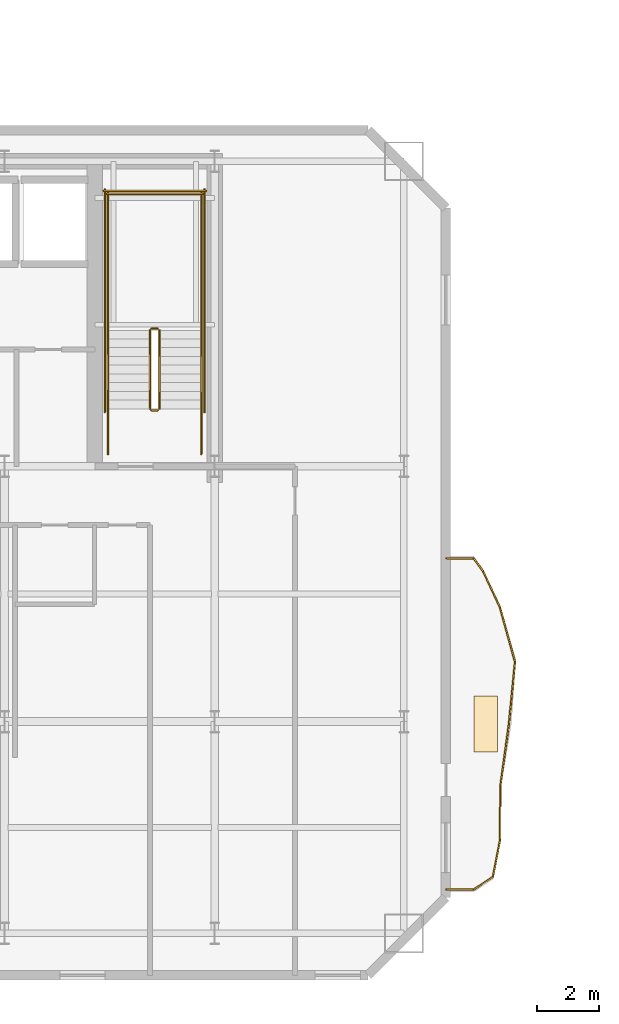
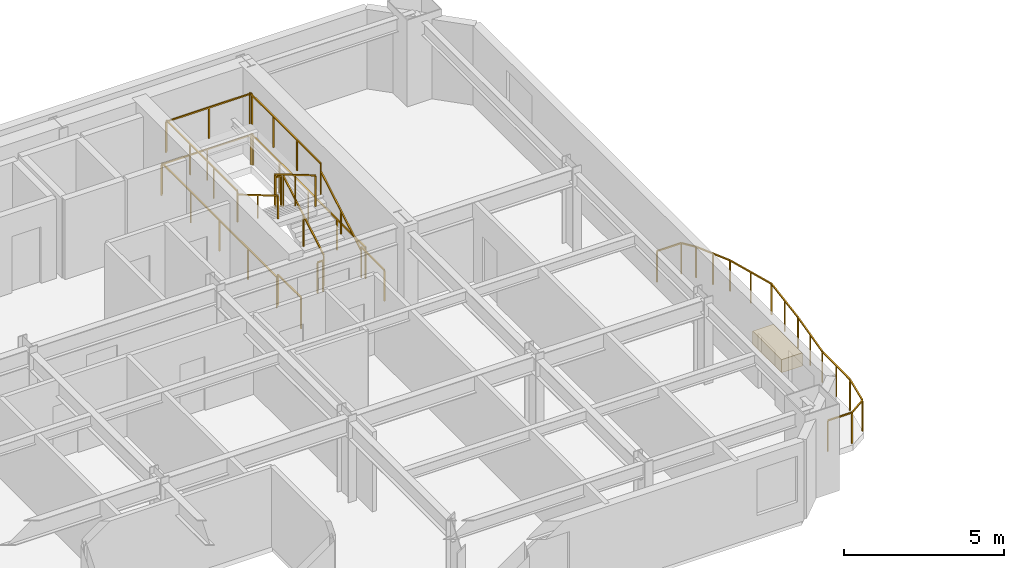
# One storey, part 11 of 13: 24 railings, 1 covering.
"""IFC4 building model written with IfcOpenShell, lengths in metres."""

import ifcopenshell
import ifcopenshell.guid

model = None  # the IFC model being written
_history = None  # IfcOwnerHistory: only IFC2X3 demands one
_inside = {}  # id of a spatial element -> (the spatial element, [elements in it])
_under = {}  # id of a project, library or spatial element -> (it, [spatial elements below it])
_declared = {}  # id of a project -> (the project, [libraries it declares])
_typed = {}  # id of a type object -> (the type object, [elements of that type])
_made_of = {}  # id of a material, layer set ... -> (it, [elements and type objects made of it])


def new_model(schema):
    """Start an empty IFC model of exactly this schema.

    Asked for "IFC4X3", IfcOpenShell would pick the latest addendum, in which some entities
    have other attributes; the version numbers below select the first issue.
    IFC2X3 requires an IfcOwnerHistory on every rooted entity: one is made here for all.
    """
    global model, _history
    if schema == "IFC4X3":
        model = ifcopenshell.file(schema_version=(4, 3, 0, 0))
    else:
        model = ifcopenshell.file(schema=schema)
    _inside.clear()
    _under.clear()
    _declared.clear()
    _typed.clear()
    _made_of.clear()
    _history = None
    if model.schema == "IFC2X3":
        org = make("IfcOrganization", Name="unknown")
        user = make(
            "IfcPersonAndOrganization",
            ThePerson=make("IfcPerson", FamilyName="unknown"),
            TheOrganization=org,
        )
        app = make(
            "IfcApplication",
            ApplicationDeveloper=org,
            Version="unknown",
            ApplicationFullName="unknown",
            ApplicationIdentifier="unknown",
        )
        _history = make(
            "IfcOwnerHistory",
            OwningUser=user,
            OwningApplication=app,
            ChangeAction="ADDED",
            CreationDate=0,
        )
    return model


def make(cls, **values):
    """One entity of the class cls with the attributes given. An attribute that is None is left unset."""
    return model.create_entity(
        cls, **{name: value for name, value in values.items() if value is not None}
    )


def rooted(cls, **values):
    """An entity with a GlobalId (a new one), such as an element, a storey or a relation."""
    return make(cls, GlobalId=ifcopenshell.guid.new(), OwnerHistory=_history, **values)


def si_unit(unit_type, name, prefix=None):
    """IfcSIUnit, for example si_unit("LENGTHUNIT", "METRE", prefix="MILLI")."""
    return make("IfcSIUnit", UnitType=unit_type, Prefix=prefix, Name=name)


def assignment(units):
    """IfcUnitAssignment: the units of a project."""
    return None if units is None else make("IfcUnitAssignment", Units=units)


def point(xyz):
    """IfcCartesianPoint."""
    return None if xyz is None else make("IfcCartesianPoint", Coordinates=xyz)


def direction(xyz):
    """IfcDirection."""
    return None if xyz is None else make("IfcDirection", DirectionRatios=xyz)


def frame(location, z_axis=None, x_axis=None):
    """IfcAxis2Placement3D, a coordinate frame: its origin and axes. An axis left out is left unset."""
    return make(
        "IfcAxis2Placement3D",
        Location=point(location),
        Axis=direction(z_axis),
        RefDirection=direction(x_axis),
    )


def frame_2d(location, x_axis=None):
    """IfcAxis2Placement2D, a coordinate frame in the plane: its origin and x axis."""
    return make(
        "IfcAxis2Placement2D", Location=point(location), RefDirection=direction(x_axis)
    )


def origin():
    """The frame at (0, 0, 0) with its axes left unset."""
    return frame((0.0, 0.0, 0.0))


def origin_2d():
    """The frame at (0, 0) in the plane with its x axis left unset."""
    return frame_2d((0.0, 0.0))


def place(relative_to, where):
    """IfcLocalPlacement: puts the frame where relative to a parent placement (None: the world)."""
    return make(
        "IfcLocalPlacement", PlacementRelTo=relative_to, RelativePlacement=where
    )


def context(
    kind, dimensions, precision=None, world=None, true_north=None, identifier=None
):
    """IfcGeometricRepresentationContext, for example the 3D "Model" context."""
    return make(
        "IfcGeometricRepresentationContext",
        ContextIdentifier=identifier,
        ContextType=kind,
        CoordinateSpaceDimension=dimensions,
        Precision=precision,
        WorldCoordinateSystem=world,
        TrueNorth=true_north,
    )


def subcontext(parent, identifier, kind, view, scale=None):
    """IfcGeometricRepresentationSubContext, for example "Body" below "Model"."""
    return make(
        "IfcGeometricRepresentationSubContext",
        ContextIdentifier=identifier,
        ContextType=kind,
        ParentContext=parent,
        TargetScale=scale,
        TargetView=view,
    )


def project(units=None, contexts=None):
    """IfcProject with its units and contexts."""
    return rooted(
        "IfcProject",
        Name="project",
        RepresentationContexts=contexts,
        UnitsInContext=assignment(units),
    )


def spatial(cls, under=None, at=None, **own):
    """A site, building, storey or space (cls), placed at a placement, below another one or the project."""
    s = rooted(cls, ObjectPlacement=at, **own)
    if under is not None:
        _under.setdefault(under.id(), (under, []))[1].append(s)
    return s


def profile(cls, at=None, kind="AREA", **sizes):
    """A parametric profile (cls). Its sizes go by their IFC names, for example OverallWidth=200.0."""
    return make(cls, ProfileType=kind, Position=at, **sizes)


def rectangle(**sizes):
    """IfcRectangleProfileDef."""
    return profile("IfcRectangleProfileDef", **sizes)


def extrude(swept, where, along, depth):
    """IfcExtrudedAreaSolid: the profile swept, set in the frame where, extruded along a direction by depth."""
    return make(
        "IfcExtrudedAreaSolid",
        SweptArea=swept,
        Position=where,
        ExtrudedDirection=direction(along),
        Depth=depth,
    )


def shape(context_of_items, identifier, shape_type, items):
    """IfcShapeRepresentation: the items that make up one representation, for example the "Body"."""
    return make(
        "IfcShapeRepresentation",
        ContextOfItems=context_of_items,
        RepresentationIdentifier=identifier,
        RepresentationType=shape_type,
        Items=items,
    )


def material(Name=None, Category=None):
    """IfcMaterial."""
    return make("IfcMaterial", Name=Name, Category=Category)


def layer(
    of_material, thickness, ventilated=None, Name=None, Category=None, Priority=None
):
    """IfcMaterialLayer: one layer of a wall or slab, of a material (None: an air gap)."""
    return make(
        "IfcMaterialLayer",
        Material=of_material,
        LayerThickness=thickness,
        IsVentilated=ventilated,
        Name=Name,
        Category=Category,
        Priority=Priority,
    )


def layer_set(layers, Name=None):
    """IfcMaterialLayerSet."""
    return make("IfcMaterialLayerSet", MaterialLayers=layers, LayerSetName=Name)


def made_of(thing, what):
    """Note that an element or type object is made of a material, layer set ...; save() writes the relation."""
    if what is not None:
        _made_of.setdefault(what.id(), (what, []))[1].append(thing)
    return thing


def type_object(cls, material=None, **own):
    """A type object (cls), such as IfcWallType, which elements share."""
    return made_of(rooted(cls, **own), material)


def element(
    cls,
    number,
    at=None,
    inside=None,
    cuts=None,
    type_object=None,
    material=None,
    context=None,
    identifier="Body",
    shape_type=None,
    held_by="IfcProductDefinitionShape",
    body=None,
    shapes=None,
    **own,
):
    """One element of the class cls, such as IfcWall. Its Tag is "e" and its number.

    at: its placement. inside: the storey or other place that contains it. cuts: it is an
    opening in that element (IfcRelVoidsElement). A single representation is given by context,
    identifier, shape_type and body (its items); several are given by shapes. held_by: the class
    of the entity that holds the representations. save() writes the other relations.
    """
    e = rooted(cls, Tag="e%d" % number, ObjectPlacement=at, **own)
    if body is not None:
        shapes = [shape(context, identifier, shape_type, body)]
    if shapes is not None:
        e.Representation = make(held_by, Representations=shapes)
    if inside is not None:
        _inside.setdefault(inside.id(), (inside, []))[1].append(e)
    if cuts is not None:
        rooted(
            "IfcRelVoidsElement", RelatingBuildingElement=cuts, RelatedOpeningElement=e
        )
    if type_object is not None:
        _typed.setdefault(type_object.id(), (type_object, []))[1].append(e)
    return made_of(e, material)


def aggregate(whole, parts):
    """IfcRelAggregates: a whole, such as a stair, and the parts it consists of."""
    return rooted("IfcRelAggregates", RelatingObject=whole, RelatedObjects=parts)


def save(model, path):
    """Write the relations noted so far, then the file.

    IfcRelAggregates (storeys below a building ...), IfcRelContainedInSpatialStructure (elements
    in a storey), IfcRelDefinesByType, IfcRelAssociatesMaterial and IfcRelDeclares: one each for
    every whole, place, type object, material and project.
    """
    for whole, parts in _under.values():
        aggregate(whole, parts)
    for where, things in _inside.values():
        rooted(
            "IfcRelContainedInSpatialStructure",
            RelatedElements=things,
            RelatingStructure=where,
        )
    for kind, things in _typed.values():
        rooted("IfcRelDefinesByType", RelatedObjects=things, RelatingType=kind)
    for what, things in _made_of.values():
        rooted("IfcRelAssociatesMaterial", RelatedObjects=things, RelatingMaterial=what)
    for by, libraries in _declared.values():
        rooted("IfcRelDeclares", RelatingContext=by, RelatedDefinitions=libraries)
    model.write(path)


model = new_model("IFC4")

# Units and contexts
model_context = context("Model", 3, precision=1e-05, world=origin(), true_north=direction((0.0, 1.0)))
body_context = subcontext(model_context, "Body", "Model", "MODEL_VIEW")
ifc_project = project(units=[si_unit("LENGTHUNIT", "METRE"), si_unit("AREAUNIT", "SQUARE_METRE"), si_unit("VOLUMEUNIT", "CUBIC_METRE"), si_unit("PLANEANGLEUNIT", "RADIAN"), si_unit("MASSUNIT", "GRAM", prefix="KILO")], contexts=[model_context])

# Site, building, storey
site_placement = place(None, origin())
site = spatial("IfcSite", under=ifc_project, at=site_placement, CompositionType="ELEMENT")
building_placement = place(site_placement, origin())
building = spatial("IfcBuilding", under=site, at=building_placement, Name="Haevon Station Towers", CompositionType="ELEMENT")
storey_placement = place(building_placement, frame((0.0, 0.0, 162.60009765625)))
storey = spatial("IfcBuildingStorey", under=building, at=storey_placement, Name="L44", CompositionType="ELEMENT", Elevation=162.60009765625)

# Railings
ifc_material_1 = material(Name="Steel S355", Category="steel")
railing_type_1 = type_object("IfcRailingType", Name="GRD-EXT1200", PredefinedType="GUARDRAIL", material=ifc_material_1)
railing_1_placement = place(storey_placement, frame((58.448486328125, 24.602783203125, 0.0)))
element("IfcRailing", 1, at=railing_1_placement, inside=storey, type_object=railing_type_1, Name="L44 Perimeter Guardrail 1", PredefinedType="GUARDRAIL", context=body_context, shape_type="SweptSolid", body=[
    extrude(rectangle(XDim=0.048095703125, YDim=0.048095703125, at=origin_2d()), frame((0.0, 0.0, 1.17578125), z_axis=(0.999997476494, 0.002246554286, 0.0), x_axis=(-0.002246554286, 0.999997476494, 0.0)), (0.0, 0.0, 1.0), 0.869384765625),
    extrude(rectangle(XDim=0.0419921875, YDim=0.0419921875, at=origin_2d()), origin(), (0.0, 0.0, 1.0), 1.15185546875),
    extrude(rectangle(XDim=0.0419921875, YDim=0.0419921875, at=origin_2d()), frame((0.869384765625, 0.001953125, 0.0)), (0.0, 0.0, 1.0), 1.15185546875),
])
railing_2_placement = place(storey_placement, frame((59.31787109375, 24.604736328125, 0.0)))
element("IfcRailing", 2, at=railing_2_placement, inside=storey, type_object=railing_type_1, Name="L44 Perimeter Guardrail 2", PredefinedType="GUARDRAIL", context=body_context, shape_type="SweptSolid", body=[
    extrude(rectangle(XDim=0.048095703125, YDim=0.048095703125, at=origin_2d()), frame((0.0, 0.0, 1.17578125), z_axis=(0.833160144028, 0.553031802343, 0.0), x_axis=(-0.553031802343, 0.833160144028, 0.0)), (0.0, 0.0, 1.0), 0.743408203125),
    extrude(rectangle(XDim=0.0419921875, YDim=0.0419921875, at=origin_2d()), origin(), (0.0, 0.0, 1.0), 1.15185546875),
    extrude(rectangle(XDim=0.0419921875, YDim=0.0419921875, at=origin_2d()), frame((0.619384765625, 0.4111328125, 0.0)), (0.0, 0.0, 1.0), 1.15185546875),
])
railing_3_placement = place(storey_placement, frame((59.937255859375, 25.015869140625, 0.0)))
element("IfcRailing", 3, at=railing_3_placement, inside=storey, type_object=railing_type_1, Name="L44 Perimeter Guardrail 3", PredefinedType="GUARDRAIL", context=body_context, shape_type="SweptSolid", body=[
    extrude(rectangle(XDim=0.048095703125, YDim=0.048095703125, at=origin_2d()), frame((0.0, 0.0, 1.17578125), z_axis=(0.18988815167, 0.981805729182, 0.0), x_axis=(-0.981805729182, 0.18988815167, 0.0)), (0.0, 0.0, 1.0), 1.19189453125),
    extrude(rectangle(XDim=0.0419921875, YDim=0.0419921875, at=origin_2d()), origin(), (0.0, 0.0, 1.0), 1.15185546875),
    extrude(rectangle(XDim=0.0419921875, YDim=0.0419921875, at=origin_2d()), frame((0.226318359375, 1.170166015625, 0.0)), (0.0, 0.0, 1.0), 1.15185546875),
])
railing_4_placement = place(storey_placement, frame((60.16357421875, 26.18603515625, 0.0)))
element("IfcRailing", 4, at=railing_4_placement, inside=storey, type_object=railing_type_1, Name="L44 Perimeter Guardrail 4", PredefinedType="GUARDRAIL", context=body_context, shape_type="SweptSolid", body=[
    extrude(rectangle(XDim=0.048095703125, YDim=0.048095703125, at=origin_2d()), frame((0.0, 0.0, 1.17578125), z_axis=(0.007392739808, 0.999972673326, 0.0), x_axis=(-0.999972673326, 0.007392739808, 0.0)), (0.0, 0.0, 1.0), 1.750244140625),
    extrude(rectangle(XDim=0.0419921875, YDim=0.0419921875, at=origin_2d()), origin(), (0.0, 0.0, 1.0), 1.15185546875),
    extrude(rectangle(XDim=0.0419921875, YDim=0.0419921875, at=origin_2d()), frame((0.00634765625, 0.875, 0.0)), (0.0, 0.0, 1.0), 1.15185546875),
    extrude(rectangle(XDim=0.0419921875, YDim=0.0419921875, at=origin_2d()), frame((0.012939453125, 1.750244140625, 0.0)), (0.0, 0.0, 1.0), 1.15185546875),
])
railing_5_placement = place(storey_placement, frame((60.176513671875, 27.936279296875, 0.0)))
element("IfcRailing", 5, at=railing_5_placement, inside=storey, type_object=railing_type_1, Name="L44 Perimeter Guardrail 5", PredefinedType="GUARDRAIL", context=body_context, shape_type="SweptSolid", body=[
    extrude(rectangle(XDim=0.048095703125, YDim=0.048095703125, at=origin_2d()), frame((0.0, 0.0, 1.17578125), z_axis=(0.136209388556, 0.990680070693, 0.0), x_axis=(-0.990680070693, 0.136209388556, 0.0)), (0.0, 0.0, 1.0), 2.007568359375),
    extrude(rectangle(XDim=0.0419921875, YDim=0.0419921875, at=origin_2d()), origin(), (0.0, 0.0, 1.0), 1.15185546875),
    extrude(rectangle(XDim=0.0419921875, YDim=0.0419921875, at=origin_2d()), frame((0.13671875, 0.994384765625, 0.0)), (0.0, 0.0, 1.0), 1.15185546875),
    extrude(rectangle(XDim=0.0419921875, YDim=0.0419921875, at=origin_2d()), frame((0.2734375, 1.98876953125, 0.0)), (0.0, 0.0, 1.0), 1.15185546875),
])
railing_6_placement = place(storey_placement, frame((60.449951171875, 29.925048828125, 0.0)))
element("IfcRailing", 6, at=railing_6_placement, inside=storey, type_object=railing_type_1, Name="L44 Perimeter Guardrail 6", PredefinedType="GUARDRAIL", context=body_context, shape_type="SweptSolid", body=[
    extrude(rectangle(XDim=0.048095703125, YDim=0.048095703125, at=origin_2d()), frame((0.0, 0.0, 1.17578125), z_axis=(0.097718135752, 0.9952141307, 0.0), x_axis=(-0.9952141307, 0.097718135752, 0.0)), (0.0, 0.0, 1.0), 2.003662109375),
    extrude(rectangle(XDim=0.0419921875, YDim=0.0419921875, at=origin_2d()), origin(), (0.0, 0.0, 1.0), 1.15185546875),
    extrude(rectangle(XDim=0.0419921875, YDim=0.0419921875, at=origin_2d()), frame((0.097900390625, 0.9970703125, 0.0)), (0.0, 0.0, 1.0), 1.15185546875),
    extrude(rectangle(XDim=0.0419921875, YDim=0.0419921875, at=origin_2d()), frame((0.19580078125, 1.994140625, 0.0)), (0.0, 0.0, 1.0), 1.15185546875),
])
railing_7_placement = place(storey_placement, frame((60.645751953125, 31.919189453125, 0.0)))
element("IfcRailing", 7, at=railing_7_placement, inside=storey, type_object=railing_type_1, Name="L44 Perimeter Guardrail 7", PredefinedType="GUARDRAIL", context=body_context, shape_type="SweptSolid", body=[
    extrude(rectangle(XDim=0.048095703125, YDim=0.048095703125, at=origin_2d()), frame((0.0, 0.0, 1.17578125), z_axis=(-0.266356811872, 0.963874498454, 0.0), x_axis=(-0.963874498454, -0.266356811872, 0.0)), (0.0, 0.0, 1.0), 1.810302734375),
    extrude(rectangle(XDim=0.0419921875, YDim=0.0419921875, at=origin_2d()), origin(), (0.0, 0.0, 1.0), 1.15185546875),
    extrude(rectangle(XDim=0.0419921875, YDim=0.0419921875, at=origin_2d()), frame((-0.2412109375, 0.87255859375, 0.0)), (0.0, 0.0, 1.0), 1.15185546875),
    extrude(rectangle(XDim=0.0419921875, YDim=0.0419921875, at=origin_2d()), frame((-0.482177734375, 1.744873046875, 0.0)), (0.0, 0.0, 1.0), 1.15185546875),
])
railing_8_placement = place(storey_placement, frame((60.16357421875, 33.6640625, 0.0)))
element("IfcRailing", 8, at=railing_8_placement, inside=storey, type_object=railing_type_1, Name="L44 Perimeter Guardrail 8", PredefinedType="GUARDRAIL", context=body_context, shape_type="SweptSolid", body=[
    extrude(rectangle(XDim=0.048095703125, YDim=0.048095703125, at=origin_2d()), frame((0.0, 0.0, 1.17578125), z_axis=(-0.423464938521, 0.90591249348, 0.0), x_axis=(-0.90591249348, -0.423464938521, 0.0)), (0.0, 0.0, 1.0), 1.29150390625),
    extrude(rectangle(XDim=0.0419921875, YDim=0.0419921875, at=origin_2d()), origin(), (0.0, 0.0, 1.0), 1.15185546875),
    extrude(rectangle(XDim=0.0419921875, YDim=0.0419921875, at=origin_2d()), frame((-0.2734375, 0.5849609375, 0.0)), (0.0, 0.0, 1.0), 1.15185546875),
    extrude(rectangle(XDim=0.0419921875, YDim=0.0419921875, at=origin_2d()), frame((-0.546875, 1.169921875, 0.0)), (0.0, 0.0, 1.0), 1.15185546875),
])
railing_9_placement = place(storey_placement, frame((59.61669921875, 34.833984375, 0.0)))
element("IfcRailing", 9, at=railing_9_placement, inside=storey, type_object=railing_type_1, Name="L44 Perimeter Guardrail 9", PredefinedType="GUARDRAIL", context=body_context, shape_type="SweptSolid", body=[
    extrude(rectangle(XDim=0.048095703125, YDim=0.048095703125, at=origin_2d()), frame((0.0, 0.0, 1.17578125), z_axis=(-0.587943185417, 0.808902225688, 0.0), x_axis=(-0.808902225688, -0.587943185417, 0.0)), (0.0, 0.0, 1.0), 0.50830078125),
    extrude(rectangle(XDim=0.0419921875, YDim=0.0419921875, at=origin_2d()), origin(), (0.0, 0.0, 1.0), 1.15185546875),
    extrude(rectangle(XDim=0.0419921875, YDim=0.0419921875, at=origin_2d()), frame((-0.298828125, 0.4111328125, 0.0)), (0.0, 0.0, 1.0), 1.15185546875),
])
railing_10_placement = place(storey_placement, frame((59.31787109375, 35.2451171875, 0.0)))
element("IfcRailing", 10, at=railing_10_placement, inside=storey, type_object=railing_type_1, Name="L44 Perimeter Guardrail 10", PredefinedType="GUARDRAIL", context=body_context, shape_type="SweptSolid", body=[
    extrude(rectangle(XDim=0.048095703125, YDim=0.048095703125, at=origin_2d()), frame((0.0, 0.0, 1.17578125), z_axis=(-0.999997476494, 0.002246554286, 0.0), x_axis=(-0.002246554286, -0.999997476494, 0.0)), (0.0, 0.0, 1.0), 0.869384765625),
    extrude(rectangle(XDim=0.0419921875, YDim=0.0419921875, at=origin_2d()), origin(), (0.0, 0.0, 1.0), 1.15185546875),
    extrude(rectangle(XDim=0.0419921875, YDim=0.0419921875, at=origin_2d()), frame((-0.869384765625, 0.001953125, 0.0)), (0.0, 0.0, 1.0), 1.15185546875),
])
railing_type_2 = type_object("IfcRailingType", Name="GRD-STR1200", PredefinedType="GUARDRAIL", material=ifc_material_1)
railing_11_placement = place(storey_placement, frame((49.219970703125, 40.050048828125, 0.164794921875)))
element("IfcRailing", 11, at=railing_11_placement, inside=storey, type_object=railing_type_2, Name="L44 ST2 Stair Guard 1", PredefinedType="GUARDRAIL", context=body_context, shape_type="SweptSolid", body=[
    extrude(rectangle(XDim=0.048095703125, YDim=0.048095703125, at=origin_2d()), frame((0.0, 0.0, 1.17578125), z_axis=(0.0, 0.86152411907, 0.507716645641), x_axis=(-1.0, 0.0, 0.0)), (0.0, 0.0, 1.0), 2.925048828125),
    extrude(rectangle(XDim=0.0419921875, YDim=0.0419921875, at=origin_2d()), origin(), (0.0, 0.0, 1.0), 1.15185546875),
    extrude(rectangle(XDim=0.0419921875, YDim=0.0419921875, at=origin_2d()), frame((0.0, 1.260009765625, 0.74267578125)), (0.0, 0.0, 1.0), 1.15185546875),
    extrude(rectangle(XDim=0.0419921875, YDim=0.0419921875, at=origin_2d()), frame((0.0, 2.52001953125, 1.485107421875)), (0.0, 0.0, 1.0), 1.15185546875),
])
railing_12_placement = place(storey_placement, frame((49.169921875, 42.6201171875, 1.64990234375)))
element("IfcRailing", 12, at=railing_12_placement, inside=storey, type_object=railing_type_2, Name="L44 ST2 Stair Guard 2", PredefinedType="GUARDRAIL", context=body_context, shape_type="SweptSolid", body=[
    extrude(rectangle(XDim=0.048095703125, YDim=0.048095703125, at=origin_2d()), frame((0.0, 0.0, 1.17578125), z_axis=(-1.0, 0.0, 0.0), x_axis=(0.0, -1.0, 0.0)), (0.0, 0.0, 1.0), 0.199951171875),
    extrude(rectangle(XDim=0.0419921875, YDim=0.0419921875, at=origin_2d()), origin(), (0.0, 0.0, 1.0), 1.15185546875),
    extrude(rectangle(XDim=0.0419921875, YDim=0.0419921875, at=origin_2d()), frame((-0.199951171875, 0.0, 0.0)), (0.0, 0.0, 1.0), 1.15185546875),
])
for number, where, name in (
    (13, (50.570068359375, 42.570068359375, 1.64990234375), "L44 ST2 Stair Guard 3"),
    (14, (47.570068359375, 42.570068359375, 1.64990234375), "L44 ST2 Stair Guard 4"),
):
    element("IfcRailing", number, at=place(storey_placement, frame(where)), inside=storey, type_object=railing_type_2, Name=name, PredefinedType="GUARDRAIL", context=body_context, shape_type="SweptSolid", body=[
        extrude(rectangle(XDim=0.048095703125, YDim=0.048095703125, at=origin_2d()), frame((0.0, 0.0, 1.17578125), z_axis=(0.0, 1.0, 0.0), x_axis=(-1.0, 0.0, 0.0)), (0.0, 0.0, 1.0), 4.429931640625),
        extrude(rectangle(XDim=0.0419921875, YDim=0.0419921875, at=origin_2d()), origin(), (0.0, 0.0, 1.0), 1.15185546875),
        extrude(rectangle(XDim=0.0419921875, YDim=0.0419921875, at=origin_2d()), frame((0.0, 1.4765625, 0.0)), (0.0, 0.0, 1.0), 1.15185546875),
        extrude(rectangle(XDim=0.0419921875, YDim=0.0419921875, at=origin_2d()), frame((0.0, 2.953369140625, 0.0)), (0.0, 0.0, 1.0), 1.15185546875),
        extrude(rectangle(XDim=0.0419921875, YDim=0.0419921875, at=origin_2d()), frame((0.0, 4.429931640625, 0.0)), (0.0, 0.0, 1.0), 1.15185546875),
    ])
railing_13_placement = place(storey_placement, frame((50.6201171875, 46.949951171875, 1.64990234375)))
element("IfcRailing", 15, at=railing_13_placement, inside=storey, type_object=railing_type_2, Name="L44 ST2 Stair Guard 5", PredefinedType="GUARDRAIL", context=body_context, shape_type="SweptSolid", body=[
    extrude(rectangle(XDim=0.048095703125, YDim=0.048095703125, at=origin_2d()), frame((0.0, 0.0, 1.17578125), z_axis=(-1.0, 0.0, 0.0), x_axis=(0.0, -1.0, 0.0)), (0.0, 0.0, 1.0), 3.10009765625),
    extrude(rectangle(XDim=0.0419921875, YDim=0.0419921875, at=origin_2d()), origin(), (0.0, 0.0, 1.0), 1.15185546875),
    extrude(rectangle(XDim=0.0419921875, YDim=0.0419921875, at=origin_2d()), frame((-1.550048828125, 0.0, 0.0)), (0.0, 0.0, 1.0), 1.15185546875),
    extrude(rectangle(XDim=0.0419921875, YDim=0.0419921875, at=origin_2d()), frame((-3.10009765625, 0.0, 0.0)), (0.0, 0.0, 1.0), 1.15185546875),
])
railing_14_placement = place(storey_placement, frame((48.919921875, 42.570068359375, 1.81494140625)))
element("IfcRailing", 16, at=railing_14_placement, inside=storey, type_object=railing_type_2, Name="L44 ST2 Stair Guard 6", PredefinedType="GUARDRAIL", context=body_context, shape_type="SweptSolid", body=[
    extrude(rectangle(XDim=0.048095703125, YDim=0.048095703125, at=origin_2d()), frame((0.0, 0.0, 1.17578125), z_axis=(0.0, -0.861560626758, 0.507654692109), x_axis=(1.0, 0.0, 0.0)), (0.0, 0.0, 1.0), 2.925048828125),
    extrude(rectangle(XDim=0.0419921875, YDim=0.0419921875, at=origin_2d()), origin(), (0.0, 0.0, 1.0), 1.15185546875),
    extrude(rectangle(XDim=0.0419921875, YDim=0.0419921875, at=origin_2d()), frame((0.0, -1.260009765625, 0.742431640625)), (0.0, 0.0, 1.0), 1.15185546875),
    extrude(rectangle(XDim=0.0419921875, YDim=0.0419921875, at=origin_2d()), frame((0.0, -2.52001953125, 1.48486328125)), (0.0, 0.0, 1.0), 1.15185546875),
])
railing_15_placement = place(storey_placement, frame((49.169921875, 40.0, 0.0)))
element("IfcRailing", 17, at=railing_15_placement, inside=storey, type_object=railing_type_2, Name="L44 ST2 Stair Guard 7", PredefinedType="GUARDRAIL", context=body_context, shape_type="SweptSolid", body=[
    extrude(rectangle(XDim=0.048095703125, YDim=0.048095703125, at=origin_2d()), frame((0.0, 0.0, 1.17578125), z_axis=(-1.0, 0.0, 0.0), x_axis=(0.0, -1.0, 0.0)), (0.0, 0.0, 1.0), 0.199951171875),
    extrude(rectangle(XDim=0.0419921875, YDim=0.0419921875, at=origin_2d()), origin(), (0.0, 0.0, 1.0), 1.15185546875),
    extrude(rectangle(XDim=0.0419921875, YDim=0.0419921875, at=origin_2d()), frame((-0.199951171875, 0.0, 0.0)), (0.0, 0.0, 1.0), 1.15185546875),
])
for number, where, name in (
    (18, (50.570068359375, 38.60009765625, 0.0), "L44 ST2 Stair Guard 8"),
    (19, (47.570068359375, 38.60009765625, 0.0), "L44 ST2 Stair Guard 9"),
):
    element("IfcRailing", number, at=place(storey_placement, frame(where)), inside=storey, type_object=railing_type_2, Name=name, PredefinedType="GUARDRAIL", context=body_context, shape_type="SweptSolid", body=[
        extrude(rectangle(XDim=0.048095703125, YDim=0.048095703125, at=origin_2d()), frame((0.0, 0.0, 1.17578125), z_axis=(0.0, 1.0, 0.0), x_axis=(-1.0, 0.0, 0.0)), (0.0, 0.0, 1.0), 1.449951171875),
        extrude(rectangle(XDim=0.0419921875, YDim=0.0419921875, at=origin_2d()), origin(), (0.0, 0.0, 1.0), 1.15185546875),
        extrude(rectangle(XDim=0.0419921875, YDim=0.0419921875, at=origin_2d()), frame((0.0, 1.449951171875, 0.0)), (0.0, 0.0, 1.0), 1.15185546875),
    ])
for number, where, name in (
    (20, (50.669921875, 39.949951171875, 0.0), "L44 ST2 Stair Guard 10"),
    (21, (47.469970703125, 39.949951171875, 0.0), "L44 ST2 Stair Guard 11"),
):
    element("IfcRailing", number, at=place(storey_placement, frame(where)), inside=storey, type_object=railing_type_2, Name=name, PredefinedType="GUARDRAIL", context=body_context, shape_type="SweptSolid", body=[
        extrude(rectangle(XDim=0.048095703125, YDim=0.048095703125, at=origin_2d()), frame((0.0, 0.0, 1.17578125), z_axis=(0.0, 1.0, 0.0), x_axis=(-1.0, 0.0, 0.0)), (0.0, 0.0, 1.0), 7.150146484375),
        extrude(rectangle(XDim=0.0419921875, YDim=0.0419921875, at=origin_2d()), origin(), (0.0, 0.0, 1.0), 1.15185546875),
        extrude(rectangle(XDim=0.0419921875, YDim=0.0419921875, at=origin_2d()), frame((0.0, 1.78759765625, 0.0)), (0.0, 0.0, 1.0), 1.15185546875),
        extrude(rectangle(XDim=0.0419921875, YDim=0.0419921875, at=origin_2d()), frame((0.0, 3.5751953125, 0.0)), (0.0, 0.0, 1.0), 1.15185546875),
        extrude(rectangle(XDim=0.0419921875, YDim=0.0419921875, at=origin_2d()), frame((0.0, 5.362548828125, 0.0)), (0.0, 0.0, 1.0), 1.15185546875),
        extrude(rectangle(XDim=0.0419921875, YDim=0.0419921875, at=origin_2d()), frame((0.0, 7.150146484375, 0.0)), (0.0, 0.0, 1.0), 1.15185546875),
    ])
railing_16_placement = place(storey_placement, frame((50.719970703125, 47.050048828125, 0.0)))
element("IfcRailing", 22, at=railing_16_placement, inside=storey, type_object=railing_type_2, Name="L44 ST2 Stair Guard 12", PredefinedType="GUARDRAIL", context=body_context, shape_type="SweptSolid", body=[
    extrude(rectangle(XDim=0.048095703125, YDim=0.048095703125, at=origin_2d()), frame((0.0, 0.0, 1.17578125), z_axis=(-1.0, 0.0, 0.0), x_axis=(0.0, -1.0, 0.0)), (0.0, 0.0, 1.0), 3.300048828125),
    extrude(rectangle(XDim=0.0419921875, YDim=0.0419921875, at=origin_2d()), origin(), (0.0, 0.0, 1.0), 1.15185546875),
    extrude(rectangle(XDim=0.0419921875, YDim=0.0419921875, at=origin_2d()), frame((-1.64990234375, 0.0, 0.0)), (0.0, 0.0, 1.0), 1.15185546875),
    extrude(rectangle(XDim=0.0419921875, YDim=0.0419921875, at=origin_2d()), frame((-3.300048828125, 0.0, 0.0)), (0.0, 0.0, 1.0), 1.15185546875),
])
railing_type_3 = type_object("IfcRailingType", Name="HND-STR900", PredefinedType="HANDRAIL", material=ifc_material_1)
railing_17_placement = place(storey_placement, frame((50.570068359375, 40.050048828125, 0.164794921875)))
element("IfcRailing", 23, at=railing_17_placement, inside=storey, type_object=railing_type_3, Name="L44 ST2 Stair Handrail 1", PredefinedType="HANDRAIL", context=body_context, shape_type="SweptSolid", body=[
    extrude(rectangle(XDim=0.048095703125, YDim=0.048095703125, at=origin_2d()), frame((0.0, 0.0, 0.8759765625), z_axis=(0.0, 0.86152411907, 0.507716645641), x_axis=(-1.0, 0.0, 0.0)), (0.0, 0.0, 1.0), 2.925048828125),
    extrude(rectangle(XDim=0.0419921875, YDim=0.0419921875, at=origin_2d()), origin(), (0.0, 0.0, 1.0), 0.851806640625),
    extrude(rectangle(XDim=0.0419921875, YDim=0.0419921875, at=origin_2d()), frame((0.0, 1.260009765625, 0.74267578125)), (0.0, 0.0, 1.0), 0.851806640625),
    extrude(rectangle(XDim=0.0419921875, YDim=0.0419921875, at=origin_2d()), frame((0.0, 2.52001953125, 1.485107421875)), (0.0, 0.0, 1.0), 0.851806640625),
])
railing_18_placement = place(storey_placement, frame((47.570068359375, 42.570068359375, 1.81494140625)))
element("IfcRailing", 24, at=railing_18_placement, inside=storey, type_object=railing_type_3, Name="L44 ST2 Stair Handrail 2", PredefinedType="HANDRAIL", context=body_context, shape_type="SweptSolid", body=[
    extrude(rectangle(XDim=0.048095703125, YDim=0.048095703125, at=origin_2d()), frame((0.0, 0.0, 0.8759765625), z_axis=(0.0, -0.861560626758, 0.507654692109), x_axis=(1.0, 0.0, 0.0)), (0.0, 0.0, 1.0), 2.925048828125),
    extrude(rectangle(XDim=0.0419921875, YDim=0.0419921875, at=origin_2d()), origin(), (0.0, 0.0, 1.0), 0.851806640625),
    extrude(rectangle(XDim=0.0419921875, YDim=0.0419921875, at=origin_2d()), frame((0.0, -1.260009765625, 0.742431640625)), (0.0, 0.0, 1.0), 0.851806640625),
    extrude(rectangle(XDim=0.0419921875, YDim=0.0419921875, at=origin_2d()), frame((0.0, -2.52001953125, 1.48486328125)), (0.0, 0.0, 1.0), 0.851806640625),
])

# Covering
ifc_material_2 = material(Name="Architectural planter GRC", Category="concrete")
ifc_layer = layer(ifc_material_2, 0.550048828125)
ifc_layer_set = layer_set([ifc_layer], Name="Architectural planter GRC")
covering_type = type_object("IfcCoveringType", Name="PLN-GRC550", PredefinedType="MOLDING", material=ifc_layer_set)
covering_placement = place(storey_placement, frame((59.708251953125, 29.925048828125, 0.0), z_axis=(0.0, 0.0, 1.0), x_axis=(1.0, 0.0, 0.0)))
element("IfcCovering", 25, at=covering_placement, inside=storey, type_object=covering_type, Name="Tower 1 L44 Scalloped Balcony PLANTER", PredefinedType="MOLDING", context=body_context, shape_type="SweptSolid", body=[
    extrude(rectangle(XDim=0.75, YDim=1.800048828125, at=origin_2d()), origin(), (0.0, 0.0, 1.0), 0.5),
])

save(model, "model.ifc")
